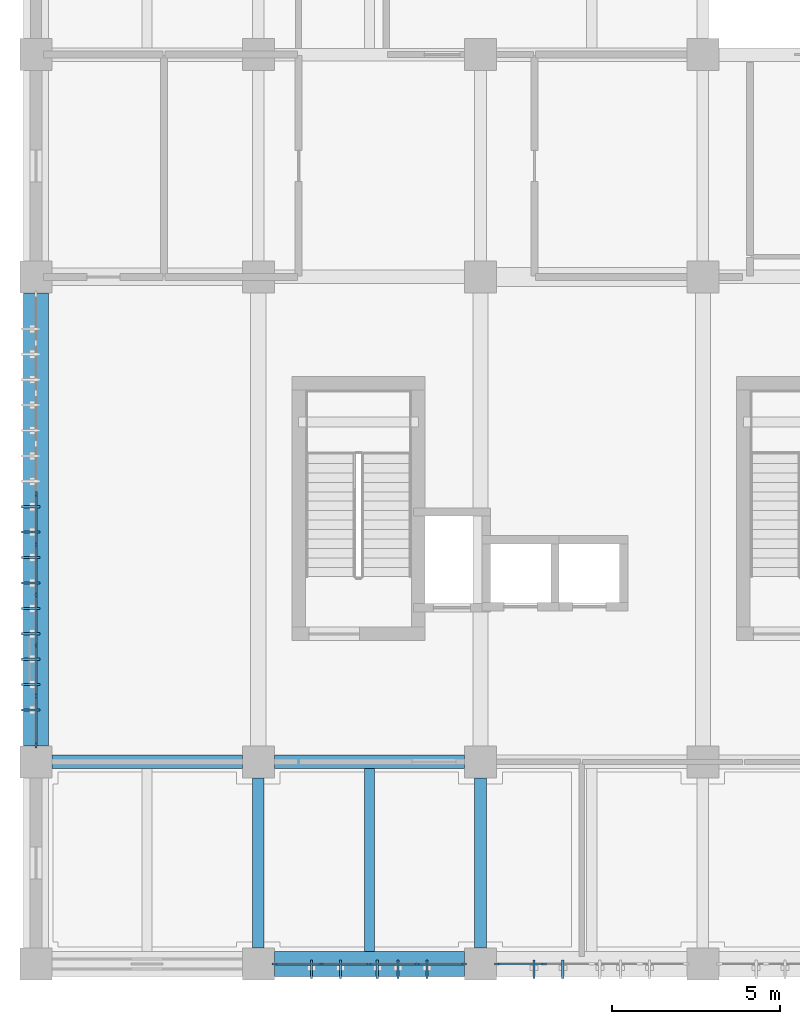
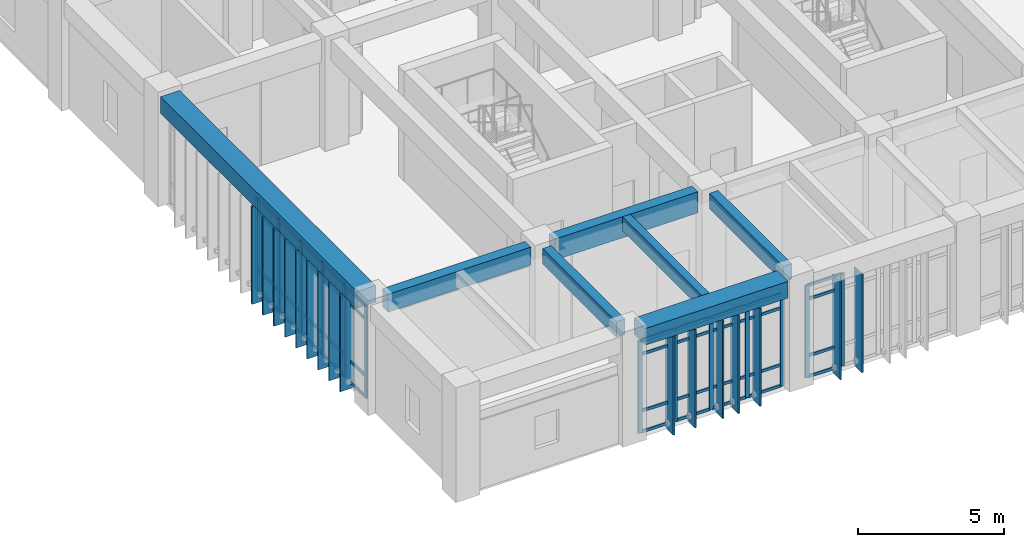
# One storey, part 2 of 65: 69 members, 7 beams, 3 elements without a shape of their own.
"""IFC4 building model written with IfcOpenShell, lengths in metres."""

from ifc_helpers import new_model, si_unit, direction, frame, origin, origin_2d, place, context, subcontext, project, spatial, rectangle, extrude, material, layer, layer_set, material_profile, profile_set, type_object, element, aggregate, save


model = new_model("IFC4")

# Units and contexts
model_context = context("Model", 3, precision=1e-05, world=origin(), true_north=direction((0.0, 1.0)))
body_context = subcontext(model_context, "Body", "Model", "MODEL_VIEW")
ifc_project = project(units=[si_unit("LENGTHUNIT", "METRE"), si_unit("AREAUNIT", "SQUARE_METRE"), si_unit("VOLUMEUNIT", "CUBIC_METRE"), si_unit("PLANEANGLEUNIT", "RADIAN"), si_unit("MASSUNIT", "GRAM", prefix="KILO")], contexts=[model_context])

# Site, building, storey
site_placement = place(None, origin())
site = spatial("IfcSite", under=ifc_project, at=site_placement, CompositionType="ELEMENT")
building_placement = place(site_placement, origin())
building = spatial("IfcBuilding", under=site, at=building_placement, Name="Miralva Faculty of Natural Sciences", CompositionType="ELEMENT")
storey_placement = place(building_placement, frame((0.0, 0.0, 10.199951171875)))
storey = spatial("IfcBuildingStorey", under=building, at=storey_placement, Name="L02", CompositionType="ELEMENT", Elevation=10.199951171875)

# Beams
ifc_material_1 = material(Name="Concrete C40/50", Category="concrete")
ifc_material_profile_1 = material_profile(ifc_material_1, rectangle(XDim=0.39990234375, YDim=0.75, at=origin_2d()), Name="RC 400x750")
ifc_profile_set_1 = profile_set([ifc_material_profile_1], Name="Concrete C40/50")
beam_type_1 = type_object("IfcBeamType", Name="BM-B03", PredefinedType="BEAM", material=ifc_profile_set_1)
beam_1_placement = place(storey_placement, frame((3.47509765625, 9.0, 4.205078125), z_axis=(1.0, 0.0, 0.0), x_axis=(0.0, 1.0, 0.0)))
element("IfcBeam", 1, at=beam_1_placement, inside=storey, type_object=beam_type_1, Name="Girder EW L02-6", PredefinedType="BEAM", context=body_context, shape_type="SweptSolid", body=[
    extrude(rectangle(XDim=0.39990234375, YDim=0.75, at=origin_2d()), origin(), (0.0, 0.0, 1.0), 5.64990234375),
])
ifc_material_profile_2 = material_profile(ifc_material_1, rectangle(XDim=0.35009765625, YDim=0.64990234375, at=origin_2d()), Name="RC 350x650")
ifc_profile_set_2 = profile_set([ifc_material_profile_2], Name="Concrete C40/50")
beam_type_2 = type_object("IfcBeamType", Name="BM-B05", PredefinedType="BEAM", material=ifc_profile_set_2)
for number, where, z_axis, x_axis, name in (
    (2, (9.60009765625, 3.47509765625, 4.255126953125), (0.0, 1.0, 0.0), (-1.0, 0.0, 0.0), "Girder NS L02-83"),
    (3, (16.199951171875, 3.47509765625, 4.255126953125), (0.0, 1.0, 0.0), (-1.0, 0.0, 0.0), "Girder NS L02-96"),
):
    element("IfcBeam", number, at=place(storey_placement, frame(where, z_axis=z_axis, x_axis=x_axis)), inside=storey, type_object=beam_type_2, Name=name, PredefinedType="BEAM", context=body_context, shape_type="SweptSolid", body=[
        extrude(rectangle(XDim=0.35009765625, YDim=0.64990234375, at=origin_2d()), origin(), (0.0, 0.0, 1.0), 5.0498046875),
    ])
ifc_material_profile_3 = material_profile(ifc_material_1, rectangle(XDim=0.39990234375, YDim=0.8798828125, at=origin_2d()), Name="RC 400x880")
ifc_profile_set_3 = profile_set([ifc_material_profile_3], Name="Concrete C40/50")
beam_type_3 = type_object("IfcBeamType", Name="BM-BG10", PredefinedType="BEAM", material=ifc_profile_set_3)
beam_2_placement = place(storey_placement, frame((10.074951171875, 9.0, 4.14013671875), z_axis=(1.0, 0.0, 0.0), x_axis=(0.0, 1.0, 0.0)))
element("IfcBeam", 4, at=beam_2_placement, inside=storey, type_object=beam_type_3, Name="Girder EW L02-7", PredefinedType="BEAM", context=body_context, shape_type="SweptSolid", body=[
    extrude(rectangle(XDim=0.39990234375, YDim=0.8798828125, at=origin_2d()), origin(), (0.0, 0.0, 1.0), 5.650146484375),
])
ifc_material_profile_4 = material_profile(ifc_material_1, rectangle(XDim=0.300048828125, YDim=0.60009765625, at=origin_2d()), Name="RC 300x600")
ifc_profile_set_4 = profile_set([ifc_material_profile_4], Name="Concrete C40/50")
beam_type_4 = type_object("IfcBeamType", Name="BM-J01", PredefinedType="JOIST", material=ifc_profile_set_4)
beam_3_placement = place(storey_placement, frame((12.89990234375, 3.375, 4.280029296875), z_axis=(0.0, 1.0, 0.0), x_axis=(-1.0, 0.0, 0.0)))
element("IfcBeam", 5, at=beam_3_placement, inside=storey, type_object=beam_type_4, Name="Floor joist L02-2", PredefinedType="JOIST", context=body_context, shape_type="SweptSolid", body=[
    extrude(rectangle(XDim=0.300048828125, YDim=0.60009765625, at=origin_2d()), origin(), (0.0, 0.0, 1.0), 5.425048828125),
])
ifc_material_profile_5 = material_profile(ifc_material_1, rectangle(XDim=0.75, YDim=0.699951171875, at=origin_2d()), Name="RC 750x700")
ifc_profile_set_5 = profile_set([ifc_material_profile_5], Name="Concrete C40/50")
beam_type_5 = type_object("IfcBeamType", Name="BM-SP01", PredefinedType="SPANDREL", material=ifc_profile_set_5)
beam_4_placement = place(storey_placement, frame((10.074951171875, 3.0, 4.22998046875), z_axis=(1.0, 0.0, 0.0), x_axis=(0.0, 1.0, 0.0)))
element("IfcBeam", 6, at=beam_4_placement, inside=storey, type_object=beam_type_5, Name="Girder EW L02-2", PredefinedType="SPANDREL", context=body_context, shape_type="SweptSolid", body=[
    extrude(rectangle(XDim=0.75, YDim=0.699951171875, at=origin_2d()), origin(), (0.0, 0.0, 1.0), 5.650146484375),
])
beam_5_placement = place(storey_placement, frame((3.0, 9.47509765625, 4.22998046875), z_axis=(0.0, 1.0, 0.0), x_axis=(-1.0, 0.0, 0.0)))
element("IfcBeam", 7, at=beam_5_placement, inside=storey, type_object=beam_type_5, Name="Girder NS L02-71", PredefinedType="SPANDREL", context=body_context, shape_type="SweptSolid", body=[
    extrude(rectangle(XDim=0.75, YDim=0.699951171875, at=origin_2d()), origin(), (0.0, 0.0, 1.0), 13.449951171875),
])

# Curtain wall, members
ifc_material_2 = material(Name="Laminated solar-control glass", Category="glass")
ifc_layer = layer(ifc_material_2, 0.179931640625, Name="CW-TWR-L01")
ifc_layer_set = layer_set([ifc_layer], Name="Laminated solar-control glass")
curtain_wall_type = type_object("IfcCurtainWallType", Name="CW-TWR-L01", PredefinedType="USERDEFINED", material=ifc_layer_set)
curtain_wall_1_placement = place(storey_placement, origin())
curtain_wall_1 = element("IfcCurtainWall", 8, at=curtain_wall_1_placement, inside=storey, type_object=curtain_wall_type, Name="Curtain wall CW-13 L02-219", ObjectType="UNITISED CURTAIN WALL", PredefinedType="USERDEFINED")
ifc_material_3 = material(Name="Anodised aluminium", Category="aluminium")
ifc_material_profile_6 = material_profile(ifc_material_3, rectangle(XDim=0.06494140625, YDim=0.159912109375, at=origin_2d()), Name="MULLION 65x160")
ifc_profile_set_6 = profile_set([ifc_material_profile_6], Name="Anodised aluminium")
member_type_1 = type_object("IfcMemberType", Name="CW-M02", PredefinedType="MULLION", material=ifc_profile_set_6)
member_1_placement = place(storey_placement, frame((10.08740234375, 3.0, 0.0), z_axis=(0.0, 0.0, 1.0), x_axis=(0.0, 1.0, 0.0)))
member_1 = element("IfcMember", 9, at=member_1_placement, type_object=member_type_1, Name="CW-13 mullion 1", PredefinedType="MULLION", context=body_context, shape_type="SweptSolid", body=[
    extrude(rectangle(XDim=0.06494140625, YDim=0.159912109375, at=origin_2d()), origin(), (0.0, 0.0, 1.0), 3.875),
])
member_2_placement = place(storey_placement, frame((11.47509765625, 3.0, 0.0), z_axis=(0.0, 0.0, 1.0), x_axis=(0.0, 1.0, 0.0)))
member_2 = element("IfcMember", 10, at=member_2_placement, type_object=member_type_1, Name="CW-13 mullion 2", PredefinedType="MULLION", context=body_context, shape_type="SweptSolid", body=[
    extrude(rectangle(XDim=0.06494140625, YDim=0.159912109375, at=origin_2d()), origin(), (0.0, 0.0, 1.0), 3.875),
])
member_3_placement = place(storey_placement, frame((12.89501953125, 3.0, 0.0), z_axis=(0.0, 0.0, 1.0), x_axis=(0.0, 1.0, 0.0)))
member_3 = element("IfcMember", 11, at=member_3_placement, type_object=member_type_1, Name="CW-13 mullion 3", PredefinedType="MULLION", context=body_context, shape_type="SweptSolid", body=[
    extrude(rectangle(XDim=0.06494140625, YDim=0.159912109375, at=origin_2d()), origin(), (0.0, 0.0, 1.0), 3.875),
])
member_4_placement = place(storey_placement, frame((14.31494140625, 3.0, 0.0), z_axis=(0.0, 0.0, 1.0), x_axis=(0.0, 1.0, 0.0)))
member_4 = element("IfcMember", 12, at=member_4_placement, type_object=member_type_1, Name="CW-13 mullion 4", PredefinedType="MULLION", context=body_context, shape_type="SweptSolid", body=[
    extrude(rectangle(XDim=0.06494140625, YDim=0.159912109375, at=origin_2d()), origin(), (0.0, 0.0, 1.0), 3.875),
])
member_5_placement = place(storey_placement, frame((15.702392578125, 3.0, 0.0), z_axis=(0.0, 0.0, 1.0), x_axis=(0.0, 1.0, 0.0)))
member_5 = element("IfcMember", 13, at=member_5_placement, type_object=member_type_1, Name="CW-13 mullion 5", PredefinedType="MULLION", context=body_context, shape_type="SweptSolid", body=[
    extrude(rectangle(XDim=0.06494140625, YDim=0.159912109375, at=origin_2d()), origin(), (0.0, 0.0, 1.0), 3.875),
])

curtain_wall_2_placement = place(storey_placement, origin())
curtain_wall_2 = element("IfcCurtainWall", 14, at=curtain_wall_2_placement, inside=storey, type_object=curtain_wall_type, Name="Curtain wall CW-13 L02-220", ObjectType="UNITISED CURTAIN WALL", PredefinedType="USERDEFINED")
member_6_placement = place(storey_placement, frame((16.6875, 3.0, 0.0), z_axis=(0.0, 0.0, 1.0), x_axis=(0.0, 1.0, 0.0)))
member_6 = element("IfcMember", 15, at=member_6_placement, type_object=member_type_1, Name="CW-13 mullion 1", PredefinedType="MULLION", context=body_context, shape_type="SweptSolid", body=[
    extrude(rectangle(XDim=0.06494140625, YDim=0.159912109375, at=origin_2d()), origin(), (0.0, 0.0, 1.0), 3.875),
])
member_7_placement = place(storey_placement, frame((18.077392578125, 3.0, 0.0), z_axis=(0.0, 0.0, 1.0), x_axis=(0.0, 1.0, 0.0)))
member_7 = element("IfcMember", 16, at=member_7_placement, type_object=member_type_1, Name="CW-13 mullion 2", PredefinedType="MULLION", context=body_context, shape_type="SweptSolid", body=[
    extrude(rectangle(XDim=0.06494140625, YDim=0.159912109375, at=origin_2d()), origin(), (0.0, 0.0, 1.0), 3.875),
])

curtain_wall_3_placement = place(storey_placement, origin())
curtain_wall_3 = element("IfcCurtainWall", 17, at=curtain_wall_3_placement, inside=storey, type_object=curtain_wall_type, Name="Curtain wall CW-13 L02-223", ObjectType="UNITISED CURTAIN WALL", PredefinedType="USERDEFINED")
member_8_placement = place(storey_placement, frame((3.0, 9.49755859375, 0.0), z_axis=(0.0, 0.0, 1.0), x_axis=(-1.0, 0.0, 0.0)))
member_8 = element("IfcMember", 18, at=member_8_placement, type_object=member_type_1, Name="CW-13 mullion 1", PredefinedType="MULLION", context=body_context, shape_type="SweptSolid", body=[
    extrude(rectangle(XDim=0.06494140625, YDim=0.159912109375, at=origin_2d()), origin(), (0.0, 0.0, 1.0), 3.875),
])
member_9_placement = place(storey_placement, frame((3.0, 10.961669921875, 0.0), z_axis=(0.0, 0.0, 1.0), x_axis=(-1.0, 0.0, 0.0)))
member_9 = element("IfcMember", 19, at=member_9_placement, type_object=member_type_1, Name="CW-13 mullion 2", PredefinedType="MULLION", context=body_context, shape_type="SweptSolid", body=[
    extrude(rectangle(XDim=0.06494140625, YDim=0.159912109375, at=origin_2d()), origin(), (0.0, 0.0, 1.0), 3.875),
])
member_10_placement = place(storey_placement, frame((3.0, 12.458251953125, 0.0), z_axis=(0.0, 0.0, 1.0), x_axis=(-1.0, 0.0, 0.0)))
member_10 = element("IfcMember", 20, at=member_10_placement, type_object=member_type_1, Name="CW-13 mullion 3", PredefinedType="MULLION", context=body_context, shape_type="SweptSolid", body=[
    extrude(rectangle(XDim=0.06494140625, YDim=0.159912109375, at=origin_2d()), origin(), (0.0, 0.0, 1.0), 3.875),
])
member_11_placement = place(storey_placement, frame((3.0, 13.955078125, 0.0), z_axis=(0.0, 0.0, 1.0), x_axis=(-1.0, 0.0, 0.0)))
member_11 = element("IfcMember", 21, at=member_11_placement, type_object=member_type_1, Name="CW-13 mullion 4", PredefinedType="MULLION", context=body_context, shape_type="SweptSolid", body=[
    extrude(rectangle(XDim=0.06494140625, YDim=0.159912109375, at=origin_2d()), origin(), (0.0, 0.0, 1.0), 3.875),
])
member_12_placement = place(storey_placement, frame((3.0, 15.45166015625, 0.0), z_axis=(0.0, 0.0, 1.0), x_axis=(-1.0, 0.0, 0.0)))
member_12 = element("IfcMember", 22, at=member_12_placement, type_object=member_type_1, Name="CW-13 mullion 5", PredefinedType="MULLION", context=body_context, shape_type="SweptSolid", body=[
    extrude(rectangle(XDim=0.06494140625, YDim=0.159912109375, at=origin_2d()), origin(), (0.0, 0.0, 1.0), 3.875),
])
member_13_placement = place(storey_placement, frame((3.0, 16.9482421875, 0.0), z_axis=(0.0, 0.0, 1.0), x_axis=(-1.0, 0.0, 0.0)))
member_13 = element("IfcMember", 23, at=member_13_placement, type_object=member_type_1, Name="CW-13 mullion 6", PredefinedType="MULLION", context=body_context, shape_type="SweptSolid", body=[
    extrude(rectangle(XDim=0.06494140625, YDim=0.159912109375, at=origin_2d()), origin(), (0.0, 0.0, 1.0), 3.875),
])

# Member
ifc_material_profile_7 = material_profile(ifc_material_3, rectangle(XDim=0.06005859375, YDim=0.1201171875, at=origin_2d()), Name="TRANSOM 60x120")
ifc_profile_set_7 = profile_set([ifc_material_profile_7], Name="Anodised aluminium")
member_type_2 = type_object("IfcMemberType", Name="CW-T02", PredefinedType="USERDEFINED", material=ifc_profile_set_7)
member_14_placement = place(storey_placement, frame((10.1201171875, 3.0, 0.030029296875), z_axis=(1.0, 0.0, 0.0), x_axis=(0.0, 1.0, 0.0)))
member_14 = element("IfcMember", 24, at=member_14_placement, type_object=member_type_2, Name="CW-13 transom 1.1", ObjectType="TRANSOM", PredefinedType="USERDEFINED", context=body_context, shape_type="SweptSolid", body=[
    extrude(rectangle(XDim=0.06005859375, YDim=0.1201171875, at=origin_2d()), origin(), (0.0, 0.0, 1.0), 1.322265625),
])

member_15_placement = place(storey_placement, frame((10.1201171875, 3.0, 0.900146484375), z_axis=(1.0, 0.0, 0.0), x_axis=(0.0, 1.0, 0.0)))
member_15 = element("IfcMember", 25, at=member_15_placement, type_object=member_type_2, Name="CW-13 transom 1.2", ObjectType="TRANSOM", PredefinedType="USERDEFINED", context=body_context, shape_type="SweptSolid", body=[
    extrude(rectangle(XDim=0.06005859375, YDim=0.1201171875, at=origin_2d()), origin(), (0.0, 0.0, 1.0), 1.322265625),
])

member_16_placement = place(storey_placement, frame((10.1201171875, 3.0, 3.275146484375), z_axis=(1.0, 0.0, 0.0), x_axis=(0.0, 1.0, 0.0)))
member_16 = element("IfcMember", 26, at=member_16_placement, type_object=member_type_2, Name="CW-13 transom 1.3", ObjectType="TRANSOM", PredefinedType="USERDEFINED", context=body_context, shape_type="SweptSolid", body=[
    extrude(rectangle(XDim=0.06005859375, YDim=0.1201171875, at=origin_2d()), origin(), (0.0, 0.0, 1.0), 1.322265625),
])

member_17_placement = place(storey_placement, frame((10.1201171875, 3.0, 3.844970703125), z_axis=(1.0, 0.0, 0.0), x_axis=(0.0, 1.0, 0.0)))
member_17 = element("IfcMember", 27, at=member_17_placement, type_object=member_type_2, Name="CW-13 transom 1.4", ObjectType="TRANSOM", PredefinedType="USERDEFINED", context=body_context, shape_type="SweptSolid", body=[
    extrude(rectangle(XDim=0.06005859375, YDim=0.1201171875, at=origin_2d()), origin(), (0.0, 0.0, 1.0), 1.322265625),
])

member_18_placement = place(storey_placement, frame((11.507568359375, 3.0, 0.030029296875), z_axis=(1.0, 0.0, 0.0), x_axis=(0.0, 1.0, 0.0)))
member_18 = element("IfcMember", 28, at=member_18_placement, type_object=member_type_2, Name="CW-13 transom 2.1", ObjectType="TRANSOM", PredefinedType="USERDEFINED", context=body_context, shape_type="SweptSolid", body=[
    extrude(rectangle(XDim=0.06005859375, YDim=0.1201171875, at=origin_2d()), origin(), (0.0, 0.0, 1.0), 1.35498046875),
])

member_19_placement = place(storey_placement, frame((11.507568359375, 3.0, 0.900146484375), z_axis=(1.0, 0.0, 0.0), x_axis=(0.0, 1.0, 0.0)))
member_19 = element("IfcMember", 29, at=member_19_placement, type_object=member_type_2, Name="CW-13 transom 2.2", ObjectType="TRANSOM", PredefinedType="USERDEFINED", context=body_context, shape_type="SweptSolid", body=[
    extrude(rectangle(XDim=0.06005859375, YDim=0.1201171875, at=origin_2d()), origin(), (0.0, 0.0, 1.0), 1.35498046875),
])

member_20_placement = place(storey_placement, frame((11.507568359375, 3.0, 3.275146484375), z_axis=(1.0, 0.0, 0.0), x_axis=(0.0, 1.0, 0.0)))
member_20 = element("IfcMember", 30, at=member_20_placement, type_object=member_type_2, Name="CW-13 transom 2.3", ObjectType="TRANSOM", PredefinedType="USERDEFINED", context=body_context, shape_type="SweptSolid", body=[
    extrude(rectangle(XDim=0.06005859375, YDim=0.1201171875, at=origin_2d()), origin(), (0.0, 0.0, 1.0), 1.35498046875),
])

member_21_placement = place(storey_placement, frame((11.507568359375, 3.0, 3.844970703125), z_axis=(1.0, 0.0, 0.0), x_axis=(0.0, 1.0, 0.0)))
member_21 = element("IfcMember", 31, at=member_21_placement, type_object=member_type_2, Name="CW-13 transom 2.4", ObjectType="TRANSOM", PredefinedType="USERDEFINED", context=body_context, shape_type="SweptSolid", body=[
    extrude(rectangle(XDim=0.06005859375, YDim=0.1201171875, at=origin_2d()), origin(), (0.0, 0.0, 1.0), 1.35498046875),
])

member_22_placement = place(storey_placement, frame((12.927490234375, 3.0, 0.030029296875), z_axis=(1.0, 0.0, 0.0), x_axis=(0.0, 1.0, 0.0)))
member_22 = element("IfcMember", 32, at=member_22_placement, type_object=member_type_2, Name="CW-13 transom 3.1", ObjectType="TRANSOM", PredefinedType="USERDEFINED", context=body_context, shape_type="SweptSolid", body=[
    extrude(rectangle(XDim=0.06005859375, YDim=0.1201171875, at=origin_2d()), origin(), (0.0, 0.0, 1.0), 1.35498046875),
])

member_23_placement = place(storey_placement, frame((12.927490234375, 3.0, 0.900146484375), z_axis=(1.0, 0.0, 0.0), x_axis=(0.0, 1.0, 0.0)))
member_23 = element("IfcMember", 33, at=member_23_placement, type_object=member_type_2, Name="CW-13 transom 3.2", ObjectType="TRANSOM", PredefinedType="USERDEFINED", context=body_context, shape_type="SweptSolid", body=[
    extrude(rectangle(XDim=0.06005859375, YDim=0.1201171875, at=origin_2d()), origin(), (0.0, 0.0, 1.0), 1.35498046875),
])

member_24_placement = place(storey_placement, frame((12.927490234375, 3.0, 3.275146484375), z_axis=(1.0, 0.0, 0.0), x_axis=(0.0, 1.0, 0.0)))
member_24 = element("IfcMember", 34, at=member_24_placement, type_object=member_type_2, Name="CW-13 transom 3.3", ObjectType="TRANSOM", PredefinedType="USERDEFINED", context=body_context, shape_type="SweptSolid", body=[
    extrude(rectangle(XDim=0.06005859375, YDim=0.1201171875, at=origin_2d()), origin(), (0.0, 0.0, 1.0), 1.35498046875),
])

member_25_placement = place(storey_placement, frame((12.927490234375, 3.0, 3.844970703125), z_axis=(1.0, 0.0, 0.0), x_axis=(0.0, 1.0, 0.0)))
member_25 = element("IfcMember", 35, at=member_25_placement, type_object=member_type_2, Name="CW-13 transom 3.4", ObjectType="TRANSOM", PredefinedType="USERDEFINED", context=body_context, shape_type="SweptSolid", body=[
    extrude(rectangle(XDim=0.06005859375, YDim=0.1201171875, at=origin_2d()), origin(), (0.0, 0.0, 1.0), 1.35498046875),
])

member_26_placement = place(storey_placement, frame((14.347412109375, 3.0, 0.030029296875), z_axis=(1.0, 0.0, 0.0), x_axis=(0.0, 1.0, 0.0)))
member_26 = element("IfcMember", 36, at=member_26_placement, type_object=member_type_2, Name="CW-13 transom 4.1", ObjectType="TRANSOM", PredefinedType="USERDEFINED", context=body_context, shape_type="SweptSolid", body=[
    extrude(rectangle(XDim=0.06005859375, YDim=0.1201171875, at=origin_2d()), origin(), (0.0, 0.0, 1.0), 1.322509765625),
])

member_27_placement = place(storey_placement, frame((14.347412109375, 3.0, 0.900146484375), z_axis=(1.0, 0.0, 0.0), x_axis=(0.0, 1.0, 0.0)))
member_27 = element("IfcMember", 37, at=member_27_placement, type_object=member_type_2, Name="CW-13 transom 4.2", ObjectType="TRANSOM", PredefinedType="USERDEFINED", context=body_context, shape_type="SweptSolid", body=[
    extrude(rectangle(XDim=0.06005859375, YDim=0.1201171875, at=origin_2d()), origin(), (0.0, 0.0, 1.0), 1.322509765625),
])

member_28_placement = place(storey_placement, frame((14.347412109375, 3.0, 3.275146484375), z_axis=(1.0, 0.0, 0.0), x_axis=(0.0, 1.0, 0.0)))
member_28 = element("IfcMember", 38, at=member_28_placement, type_object=member_type_2, Name="CW-13 transom 4.3", ObjectType="TRANSOM", PredefinedType="USERDEFINED", context=body_context, shape_type="SweptSolid", body=[
    extrude(rectangle(XDim=0.06005859375, YDim=0.1201171875, at=origin_2d()), origin(), (0.0, 0.0, 1.0), 1.322509765625),
])

member_29_placement = place(storey_placement, frame((14.347412109375, 3.0, 3.844970703125), z_axis=(1.0, 0.0, 0.0), x_axis=(0.0, 1.0, 0.0)))
member_29 = element("IfcMember", 39, at=member_29_placement, type_object=member_type_2, Name="CW-13 transom 4.4", ObjectType="TRANSOM", PredefinedType="USERDEFINED", context=body_context, shape_type="SweptSolid", body=[
    extrude(rectangle(XDim=0.06005859375, YDim=0.1201171875, at=origin_2d()), origin(), (0.0, 0.0, 1.0), 1.322509765625),
])

aggregate(curtain_wall_1, [member_1, member_2, member_3, member_4, member_5, member_14, member_15, member_16, member_17, member_18, member_19, member_20, member_21, member_22, member_23, member_24, member_25, member_26, member_27, member_28, member_29])

member_30_placement = place(storey_placement, frame((16.719970703125, 3.0, 0.030029296875), z_axis=(1.0, 0.0, 0.0), x_axis=(0.0, 1.0, 0.0)))
member_30 = element("IfcMember", 40, at=member_30_placement, type_object=member_type_2, Name="CW-13 transom 1.1", ObjectType="TRANSOM", PredefinedType="USERDEFINED", context=body_context, shape_type="SweptSolid", body=[
    extrude(rectangle(XDim=0.06005859375, YDim=0.1201171875, at=origin_2d()), origin(), (0.0, 0.0, 1.0), 1.324951171875),
])

member_31_placement = place(storey_placement, frame((16.719970703125, 3.0, 0.900146484375), z_axis=(1.0, 0.0, 0.0), x_axis=(0.0, 1.0, 0.0)))
member_31 = element("IfcMember", 41, at=member_31_placement, type_object=member_type_2, Name="CW-13 transom 1.2", ObjectType="TRANSOM", PredefinedType="USERDEFINED", context=body_context, shape_type="SweptSolid", body=[
    extrude(rectangle(XDim=0.06005859375, YDim=0.1201171875, at=origin_2d()), origin(), (0.0, 0.0, 1.0), 1.324951171875),
])

member_32_placement = place(storey_placement, frame((16.719970703125, 3.0, 3.275146484375), z_axis=(1.0, 0.0, 0.0), x_axis=(0.0, 1.0, 0.0)))
member_32 = element("IfcMember", 42, at=member_32_placement, type_object=member_type_2, Name="CW-13 transom 1.3", ObjectType="TRANSOM", PredefinedType="USERDEFINED", context=body_context, shape_type="SweptSolid", body=[
    extrude(rectangle(XDim=0.06005859375, YDim=0.1201171875, at=origin_2d()), origin(), (0.0, 0.0, 1.0), 1.324951171875),
])

member_33_placement = place(storey_placement, frame((16.719970703125, 3.0, 3.844970703125), z_axis=(1.0, 0.0, 0.0), x_axis=(0.0, 1.0, 0.0)))
member_33 = element("IfcMember", 43, at=member_33_placement, type_object=member_type_2, Name="CW-13 transom 1.4", ObjectType="TRANSOM", PredefinedType="USERDEFINED", context=body_context, shape_type="SweptSolid", body=[
    extrude(rectangle(XDim=0.06005859375, YDim=0.1201171875, at=origin_2d()), origin(), (0.0, 0.0, 1.0), 1.324951171875),
])

aggregate(curtain_wall_2, [member_6, member_7, member_30, member_31, member_32, member_33])

member_34_placement = place(storey_placement, frame((3.0, 9.530029296875, 0.030029296875), z_axis=(0.0, 1.0, 0.0), x_axis=(-1.0, 0.0, 0.0)))
member_34 = element("IfcMember", 44, at=member_34_placement, type_object=member_type_2, Name="CW-13 transom 1.1", ObjectType="TRANSOM", PredefinedType="USERDEFINED", context=body_context, shape_type="SweptSolid", body=[
    extrude(rectangle(XDim=0.06005859375, YDim=0.1201171875, at=origin_2d()), origin(), (0.0, 0.0, 1.0), 1.399169921875),
])

member_35_placement = place(storey_placement, frame((3.0, 9.530029296875, 0.900146484375), z_axis=(0.0, 1.0, 0.0), x_axis=(-1.0, 0.0, 0.0)))
member_35 = element("IfcMember", 45, at=member_35_placement, type_object=member_type_2, Name="CW-13 transom 1.2", ObjectType="TRANSOM", PredefinedType="USERDEFINED", context=body_context, shape_type="SweptSolid", body=[
    extrude(rectangle(XDim=0.06005859375, YDim=0.1201171875, at=origin_2d()), origin(), (0.0, 0.0, 1.0), 1.399169921875),
])

member_36_placement = place(storey_placement, frame((3.0, 9.530029296875, 3.275146484375), z_axis=(0.0, 1.0, 0.0), x_axis=(-1.0, 0.0, 0.0)))
member_36 = element("IfcMember", 46, at=member_36_placement, type_object=member_type_2, Name="CW-13 transom 1.3", ObjectType="TRANSOM", PredefinedType="USERDEFINED", context=body_context, shape_type="SweptSolid", body=[
    extrude(rectangle(XDim=0.06005859375, YDim=0.1201171875, at=origin_2d()), origin(), (0.0, 0.0, 1.0), 1.399169921875),
])

member_37_placement = place(storey_placement, frame((3.0, 9.530029296875, 3.844970703125), z_axis=(0.0, 1.0, 0.0), x_axis=(-1.0, 0.0, 0.0)))
member_37 = element("IfcMember", 47, at=member_37_placement, type_object=member_type_2, Name="CW-13 transom 1.4", ObjectType="TRANSOM", PredefinedType="USERDEFINED", context=body_context, shape_type="SweptSolid", body=[
    extrude(rectangle(XDim=0.06005859375, YDim=0.1201171875, at=origin_2d()), origin(), (0.0, 0.0, 1.0), 1.399169921875),
])

member_38_placement = place(storey_placement, frame((3.0, 10.994140625, 0.030029296875), z_axis=(0.0, 1.0, 0.0), x_axis=(-1.0, 0.0, 0.0)))
member_38 = element("IfcMember", 48, at=member_38_placement, type_object=member_type_2, Name="CW-13 transom 2.1", ObjectType="TRANSOM", PredefinedType="USERDEFINED", context=body_context, shape_type="SweptSolid", body=[
    extrude(rectangle(XDim=0.06005859375, YDim=0.1201171875, at=origin_2d()), origin(), (0.0, 0.0, 1.0), 1.431640625),
])

member_39_placement = place(storey_placement, frame((3.0, 10.994140625, 0.900146484375), z_axis=(0.0, 1.0, 0.0), x_axis=(-1.0, 0.0, 0.0)))
member_39 = element("IfcMember", 49, at=member_39_placement, type_object=member_type_2, Name="CW-13 transom 2.2", ObjectType="TRANSOM", PredefinedType="USERDEFINED", context=body_context, shape_type="SweptSolid", body=[
    extrude(rectangle(XDim=0.06005859375, YDim=0.1201171875, at=origin_2d()), origin(), (0.0, 0.0, 1.0), 1.431640625),
])

member_40_placement = place(storey_placement, frame((3.0, 10.994140625, 3.275146484375), z_axis=(0.0, 1.0, 0.0), x_axis=(-1.0, 0.0, 0.0)))
member_40 = element("IfcMember", 50, at=member_40_placement, type_object=member_type_2, Name="CW-13 transom 2.3", ObjectType="TRANSOM", PredefinedType="USERDEFINED", context=body_context, shape_type="SweptSolid", body=[
    extrude(rectangle(XDim=0.06005859375, YDim=0.1201171875, at=origin_2d()), origin(), (0.0, 0.0, 1.0), 1.431640625),
])

member_41_placement = place(storey_placement, frame((3.0, 10.994140625, 3.844970703125), z_axis=(0.0, 1.0, 0.0), x_axis=(-1.0, 0.0, 0.0)))
member_41 = element("IfcMember", 51, at=member_41_placement, type_object=member_type_2, Name="CW-13 transom 2.4", ObjectType="TRANSOM", PredefinedType="USERDEFINED", context=body_context, shape_type="SweptSolid", body=[
    extrude(rectangle(XDim=0.06005859375, YDim=0.1201171875, at=origin_2d()), origin(), (0.0, 0.0, 1.0), 1.431640625),
])

member_42_placement = place(storey_placement, frame((3.0, 12.49072265625, 0.030029296875), z_axis=(0.0, 1.0, 0.0), x_axis=(-1.0, 0.0, 0.0)))
member_42 = element("IfcMember", 52, at=member_42_placement, type_object=member_type_2, Name="CW-13 transom 3.1", ObjectType="TRANSOM", PredefinedType="USERDEFINED", context=body_context, shape_type="SweptSolid", body=[
    extrude(rectangle(XDim=0.06005859375, YDim=0.1201171875, at=origin_2d()), origin(), (0.0, 0.0, 1.0), 1.431884765625),
])

member_43_placement = place(storey_placement, frame((3.0, 12.49072265625, 0.900146484375), z_axis=(0.0, 1.0, 0.0), x_axis=(-1.0, 0.0, 0.0)))
member_43 = element("IfcMember", 53, at=member_43_placement, type_object=member_type_2, Name="CW-13 transom 3.2", ObjectType="TRANSOM", PredefinedType="USERDEFINED", context=body_context, shape_type="SweptSolid", body=[
    extrude(rectangle(XDim=0.06005859375, YDim=0.1201171875, at=origin_2d()), origin(), (0.0, 0.0, 1.0), 1.431884765625),
])

member_44_placement = place(storey_placement, frame((3.0, 12.49072265625, 3.275146484375), z_axis=(0.0, 1.0, 0.0), x_axis=(-1.0, 0.0, 0.0)))
member_44 = element("IfcMember", 54, at=member_44_placement, type_object=member_type_2, Name="CW-13 transom 3.3", ObjectType="TRANSOM", PredefinedType="USERDEFINED", context=body_context, shape_type="SweptSolid", body=[
    extrude(rectangle(XDim=0.06005859375, YDim=0.1201171875, at=origin_2d()), origin(), (0.0, 0.0, 1.0), 1.431884765625),
])

member_45_placement = place(storey_placement, frame((3.0, 12.49072265625, 3.844970703125), z_axis=(0.0, 1.0, 0.0), x_axis=(-1.0, 0.0, 0.0)))
member_45 = element("IfcMember", 55, at=member_45_placement, type_object=member_type_2, Name="CW-13 transom 3.4", ObjectType="TRANSOM", PredefinedType="USERDEFINED", context=body_context, shape_type="SweptSolid", body=[
    extrude(rectangle(XDim=0.06005859375, YDim=0.1201171875, at=origin_2d()), origin(), (0.0, 0.0, 1.0), 1.431884765625),
])

member_46_placement = place(storey_placement, frame((3.0, 13.987548828125, 0.030029296875), z_axis=(0.0, 1.0, 0.0), x_axis=(-1.0, 0.0, 0.0)))
member_46 = element("IfcMember", 56, at=member_46_placement, type_object=member_type_2, Name="CW-13 transom 4.1", ObjectType="TRANSOM", PredefinedType="USERDEFINED", context=body_context, shape_type="SweptSolid", body=[
    extrude(rectangle(XDim=0.06005859375, YDim=0.1201171875, at=origin_2d()), origin(), (0.0, 0.0, 1.0), 1.431640625),
])

member_47_placement = place(storey_placement, frame((3.0, 13.987548828125, 0.900146484375), z_axis=(0.0, 1.0, 0.0), x_axis=(-1.0, 0.0, 0.0)))
member_47 = element("IfcMember", 57, at=member_47_placement, type_object=member_type_2, Name="CW-13 transom 4.2", ObjectType="TRANSOM", PredefinedType="USERDEFINED", context=body_context, shape_type="SweptSolid", body=[
    extrude(rectangle(XDim=0.06005859375, YDim=0.1201171875, at=origin_2d()), origin(), (0.0, 0.0, 1.0), 1.431640625),
])

member_48_placement = place(storey_placement, frame((3.0, 13.987548828125, 3.275146484375), z_axis=(0.0, 1.0, 0.0), x_axis=(-1.0, 0.0, 0.0)))
member_48 = element("IfcMember", 58, at=member_48_placement, type_object=member_type_2, Name="CW-13 transom 4.3", ObjectType="TRANSOM", PredefinedType="USERDEFINED", context=body_context, shape_type="SweptSolid", body=[
    extrude(rectangle(XDim=0.06005859375, YDim=0.1201171875, at=origin_2d()), origin(), (0.0, 0.0, 1.0), 1.431640625),
])

member_49_placement = place(storey_placement, frame((3.0, 13.987548828125, 3.844970703125), z_axis=(0.0, 1.0, 0.0), x_axis=(-1.0, 0.0, 0.0)))
member_49 = element("IfcMember", 59, at=member_49_placement, type_object=member_type_2, Name="CW-13 transom 4.4", ObjectType="TRANSOM", PredefinedType="USERDEFINED", context=body_context, shape_type="SweptSolid", body=[
    extrude(rectangle(XDim=0.06005859375, YDim=0.1201171875, at=origin_2d()), origin(), (0.0, 0.0, 1.0), 1.431640625),
])

member_50_placement = place(storey_placement, frame((3.0, 15.484130859375, 0.030029296875), z_axis=(0.0, 1.0, 0.0), x_axis=(-1.0, 0.0, 0.0)))
member_50 = element("IfcMember", 60, at=member_50_placement, type_object=member_type_2, Name="CW-13 transom 5.1", ObjectType="TRANSOM", PredefinedType="USERDEFINED", context=body_context, shape_type="SweptSolid", body=[
    extrude(rectangle(XDim=0.06005859375, YDim=0.1201171875, at=origin_2d()), origin(), (0.0, 0.0, 1.0), 1.431640625),
])

member_51_placement = place(storey_placement, frame((3.0, 15.484130859375, 0.900146484375), z_axis=(0.0, 1.0, 0.0), x_axis=(-1.0, 0.0, 0.0)))
member_51 = element("IfcMember", 61, at=member_51_placement, type_object=member_type_2, Name="CW-13 transom 5.2", ObjectType="TRANSOM", PredefinedType="USERDEFINED", context=body_context, shape_type="SweptSolid", body=[
    extrude(rectangle(XDim=0.06005859375, YDim=0.1201171875, at=origin_2d()), origin(), (0.0, 0.0, 1.0), 1.431640625),
])

member_52_placement = place(storey_placement, frame((3.0, 15.484130859375, 3.275146484375), z_axis=(0.0, 1.0, 0.0), x_axis=(-1.0, 0.0, 0.0)))
member_52 = element("IfcMember", 62, at=member_52_placement, type_object=member_type_2, Name="CW-13 transom 5.3", ObjectType="TRANSOM", PredefinedType="USERDEFINED", context=body_context, shape_type="SweptSolid", body=[
    extrude(rectangle(XDim=0.06005859375, YDim=0.1201171875, at=origin_2d()), origin(), (0.0, 0.0, 1.0), 1.431640625),
])

member_53_placement = place(storey_placement, frame((3.0, 15.484130859375, 3.844970703125), z_axis=(0.0, 1.0, 0.0), x_axis=(-1.0, 0.0, 0.0)))
member_53 = element("IfcMember", 63, at=member_53_placement, type_object=member_type_2, Name="CW-13 transom 5.4", ObjectType="TRANSOM", PredefinedType="USERDEFINED", context=body_context, shape_type="SweptSolid", body=[
    extrude(rectangle(XDim=0.06005859375, YDim=0.1201171875, at=origin_2d()), origin(), (0.0, 0.0, 1.0), 1.431640625),
])

aggregate(curtain_wall_3, [member_8, member_9, member_10, member_11, member_12, member_13, member_34, member_35, member_36, member_37, member_38, member_39, member_40, member_41, member_42, member_43, member_44, member_45, member_46, member_47, member_48, member_49, member_50, member_51, member_52, member_53])

# Members
ifc_material_profile_8 = material_profile(ifc_material_3, rectangle(XDim=0.06494140625, YDim=0.550048828125, at=origin_2d()), Name="FIN 550x65")
ifc_profile_set_8 = profile_set([ifc_material_profile_8], Name="Anodised aluminium")
member_type_3 = type_object("IfcMemberType", Name="MEM-SF03", PredefinedType="USERDEFINED", material=ifc_profile_set_8)
for number, where, z_axis, x_axis, name in (
    (64, (11.18310546875, 2.840087890625, -0.219970703125), (0.0, 0.0, 1.0), (1.0, 0.0, 0.0), "Solar shading fin SF-03 L02-225"),
    (65, (12.0390625, 2.840087890625, -0.219970703125), (0.0, 0.0, 1.0), (1.0, 0.0, 0.0), "Solar shading fin SF-03 L02-226"),
    (66, (13.135009765625, 2.840087890625, -0.219970703125), (0.0, 0.0, 1.0), (1.0, 0.0, 0.0), "Solar shading fin SF-03 L02-227"),
    (67, (13.7509765625, 2.840087890625, -0.219970703125), (0.0, 0.0, 1.0), (1.0, 0.0, 0.0), "Solar shading fin SF-03 L02-228"),
    (68, (14.60693359375, 2.840087890625, -0.219970703125), (0.0, 0.0, 1.0), (1.0, 0.0, 0.0), "Solar shading fin SF-03 L02-229"),
    (69, (17.783935546875, 2.840087890625, -0.219970703125), (0.0, 0.0, 1.0), (1.0, 0.0, 0.0), "Solar shading fin SF-03 L02-230"),
    (70, (18.64208984375, 2.840087890625, -0.219970703125), (0.0, 0.0, 1.0), (1.0, 0.0, 0.0), "Solar shading fin SF-03 L02-231"),
    (71, (2.840087890625, 10.542236328125, -0.219970703125), (0.0, 0.0, 1.0), (0.0, -1.0, 0.0), "Solar shading fin SF-03 L02-245"),
    (72, (2.840087890625, 11.296630859375, -0.219970703125), (0.0, 0.0, 1.0), (0.0, -1.0, 0.0), "Solar shading fin SF-03 L02-246"),
    (73, (2.840087890625, 12.05078125, -0.219970703125), (0.0, 0.0, 1.0), (0.0, -1.0, 0.0), "Solar shading fin SF-03 L02-247"),
    (74, (2.840087890625, 12.805419921875, -0.219970703125), (0.0, 0.0, 1.0), (0.0, -1.0, 0.0), "Solar shading fin SF-03 L02-248"),
    (75, (2.840087890625, 13.559814453125, -0.219970703125), (0.0, 0.0, 1.0), (0.0, -1.0, 0.0), "Solar shading fin SF-03 L02-249"),
    (76, (2.840087890625, 14.314208984375, -0.219970703125), (0.0, 0.0, 1.0), (0.0, -1.0, 0.0), "Solar shading fin SF-03 L02-250"),
    (77, (2.840087890625, 15.068359375, -0.219970703125), (0.0, 0.0, 1.0), (0.0, -1.0, 0.0), "Solar shading fin SF-03 L02-251"),
    (78, (2.840087890625, 15.82275390625, -0.219970703125), (0.0, 0.0, 1.0), (0.0, -1.0, 0.0), "Solar shading fin SF-03 L02-252"),
    (79, (2.840087890625, 16.5771484375, -0.219970703125), (0.0, 0.0, 1.0), (0.0, -1.0, 0.0), "Solar shading fin SF-03 L02-253"),
):
    element("IfcMember", number, at=place(storey_placement, frame(where, z_axis=z_axis, x_axis=x_axis)), inside=storey, type_object=member_type_3, Name=name, ObjectType="SUNSHADE", PredefinedType="USERDEFINED", context=body_context, shape_type="SweptSolid", body=[
        extrude(rectangle(XDim=0.06494140625, YDim=0.550048828125, at=origin_2d()), origin(), (0.0, 0.0, 1.0), 4.094970703125),
    ])

save(model, "model.ifc")
